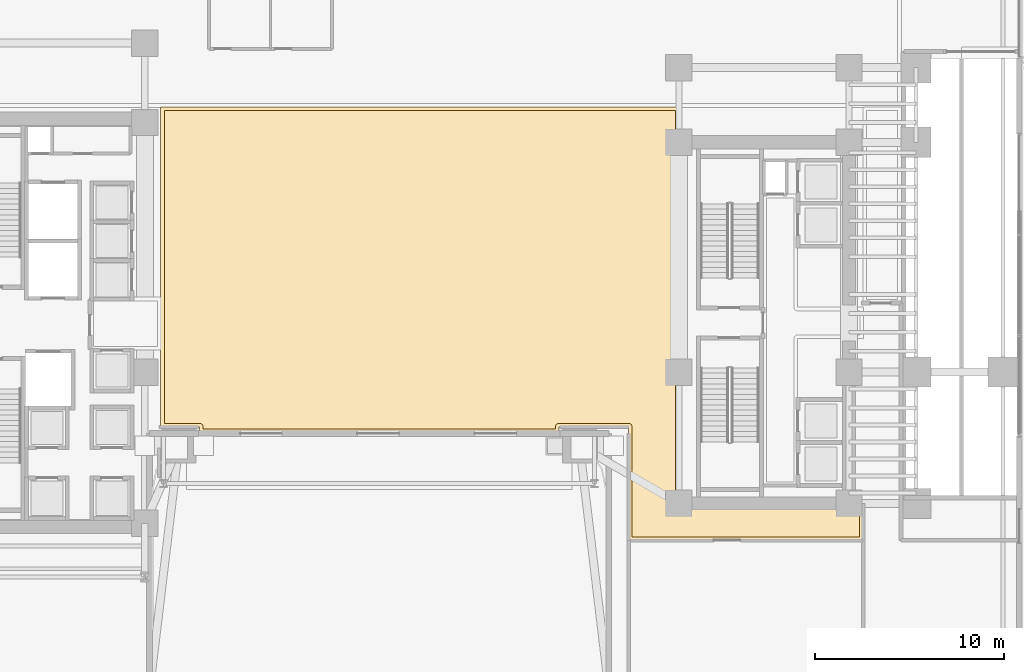
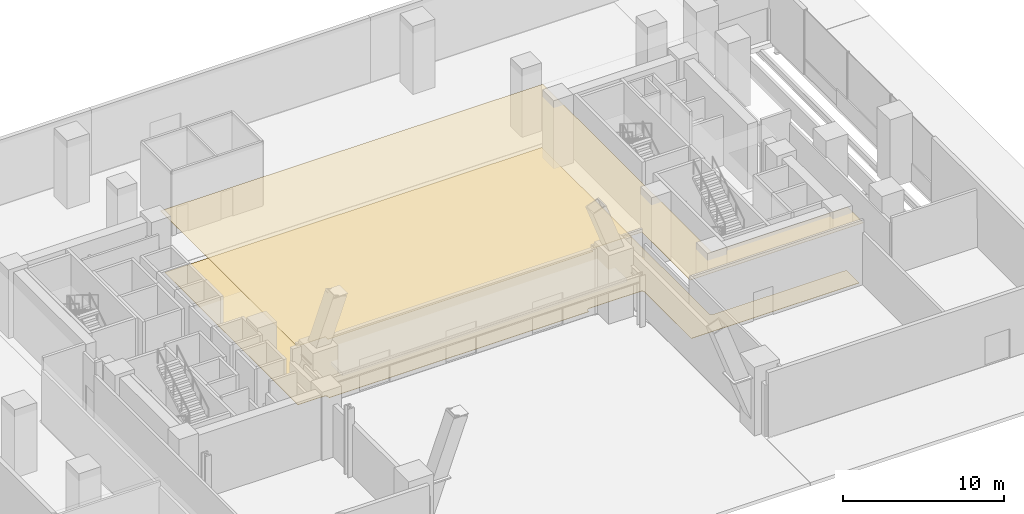
# One storey, part 22 of 27: 2 coverings.
"""IFC4 building model written with IfcOpenShell, lengths in metres."""

from ifc_helpers import new_model, si_unit, direction, frame, origin, place, context, subcontext, project, spatial, polyline, outline, extrude, material, layer, layer_set, type_object, element, save


model = new_model("IFC4")

# Units and contexts
model_context = context("Model", 3, precision=1e-05, world=origin(), true_north=direction((0.0, 1.0)))
body_context = subcontext(model_context, "Body", "Model", "MODEL_VIEW")
ifc_project = project(units=[si_unit("LENGTHUNIT", "METRE"), si_unit("AREAUNIT", "SQUARE_METRE"), si_unit("VOLUMEUNIT", "CUBIC_METRE"), si_unit("PLANEANGLEUNIT", "RADIAN"), si_unit("MASSUNIT", "GRAM", prefix="KILO")], contexts=[model_context])

# Site, building, storey
site_placement = place(None, origin())
site = spatial("IfcSite", under=ifc_project, at=site_placement, CompositionType="ELEMENT")
building_placement = place(site_placement, origin())
building = spatial("IfcBuilding", under=site, at=building_placement, Name="Valdorenza Pilgrim Sanctuary Tower", CompositionType="ELEMENT")
storey_placement = place(building_placement, origin())
storey = spatial("IfcBuildingStorey", under=building, at=storey_placement, Name="L00", CompositionType="ELEMENT", Elevation=0.0)

# Coverings
ifc_material_1 = material(Name="Micro-perforated acoustic mineral ceiling tile", Category="gypsum")
ifc_layer_1 = layer(ifc_material_1, 0.02490234375, Name="Micro-perforated acoustic mineral ceiling tile")
ifc_layer_set_1 = layer_set([ifc_layer_1], Name="Micro-perforated acoustic mineral ceiling tile")
covering_type_1 = type_object("IfcCoveringType", Name="COV-CLG-ACU", PredefinedType="CEILING", material=ifc_layer_set_1)
covering_1_placement = place(storey_placement, frame((0.0, 0.0, 4.6201171875)))
element("IfcCovering", 1, at=covering_1_placement, inside=storey, type_object=covering_type_1, Name="L00 Grand Pilgrim Entrance Central Concourse Acoustic Ceiling", PredefinedType="CEILING", context=body_context, shape_type="SweptSolid", body=[
    extrude(outline(polyline([(-11.56298828125, -1.41455078125), (-11.56298828125, 1.344482421875), (-11.56298828125, 1.3447265625), (-11.563720703125, 1.34619140625), (-11.564208984375, 1.347412109375), (-11.564697265625, 1.34912109375), (-11.56494140625, 1.3505859375), (-11.56494140625, 1.35205078125), (-11.56494140625, 7.447998046875), (-11.56494140625, 7.449462890625), (-11.564697265625, 7.45068359375), (-11.564453125, 7.4521484375), (-11.56396484375, 7.45361328125), (-11.563232421875, 7.454833984375), (-11.56298828125, 7.455322265625), (-11.56298828125, 8.944580078125), (-11.56298828125, 8.944580078125), (-11.563720703125, 8.946044921875), (-11.564208984375, 8.947509765625), (-11.564697265625, 8.948974609375), (-11.56494140625, 8.950439453125), (-11.56494140625, 8.951904296875), (-11.56494140625, 11.41796875), (-11.56494140625, 11.41943359375), (-11.564697265625, 11.4208984375), (-11.564453125, 11.42236328125), (-11.56396484375, 11.423583984375), (-11.563232421875, 11.425048828125), (-11.5625, 11.42626953125), (-11.5615234375, 11.427490234375), (-11.560546875, 11.4287109375), (-11.5595703125, 11.4296875), (-11.558349609375, 11.430419921875), (-11.55712890625, 11.43115234375), (-11.5556640625, 11.431884765625), (-11.554443359375, 11.432373046875), (-11.552978515625, 11.4326171875), (-11.551513671875, 11.432861328125), (-11.550048828125, 11.43310546875), (15.85009765625, 11.43310546875), (15.8515625, 11.432861328125), (15.852783203125, 11.4326171875), (15.8544921875, 11.432373046875), (15.855712890625, 11.431884765625), (15.857177734375, 11.43115234375), (15.8583984375, 11.430419921875), (15.859619140625, 11.4296875), (15.860595703125, 11.4287109375), (15.861572265625, 11.427490234375), (15.862548828125, 11.42626953125), (15.86328125, 11.425048828125), (15.864013671875, 11.423583984375), (15.864501953125, 11.42236328125), (15.86474609375, 11.4208984375), (15.864990234375, 11.41943359375), (15.864990234375, 11.41796875), (15.864990234375, 0.822021484375), (15.864990234375, 0.820556640625), (15.86474609375, 0.819091796875), (15.864501953125, 0.81787109375), (15.864013671875, 0.81640625), (15.86328125, 0.815185546875), (15.863037109375, 0.814697265625), (15.863037109375, -0.814697265625), (15.86328125, -0.815185546875), (15.864013671875, -0.81640625), (15.864501953125, -0.81787109375), (15.86474609375, -0.819091796875), (15.864990234375, -0.820556640625), (15.864990234375, -0.822021484375), (15.864990234375, -9.534912109375), (25.597900390625, -9.534912109375), (25.599609375, -9.53515625), (25.600830078125, -9.535400390625), (25.602294921875, -9.53564453125), (25.603759765625, -9.5361328125), (25.60498046875, -9.536865234375), (25.606201171875, -9.53759765625), (25.607421875, -9.538330078125), (25.608642578125, -9.539306640625), (25.609619140625, -9.54052734375), (25.610595703125, -9.541748046875), (25.611083984375, -9.54296875), (25.61181640625, -9.544189453125), (25.6123046875, -9.545654296875), (25.61279296875, -9.547119140625), (25.61279296875, -9.548583984375), (25.613037109375, -9.550048828125), (25.613037109375, -11.498046875), (25.61279296875, -11.49951171875), (25.61279296875, -11.5009765625), (25.6123046875, -11.50244140625), (25.61181640625, -11.503662109375), (25.611083984375, -11.505126953125), (25.610595703125, -11.50634765625), (25.609619140625, -11.507568359375), (25.608642578125, -11.508544921875), (25.607421875, -11.509521484375), (25.606201171875, -11.510498046875), (25.60498046875, -11.51123046875), (25.603759765625, -11.511962890625), (25.602294921875, -11.512451171875), (25.600830078125, -11.5126953125), (25.599609375, -11.512939453125), (25.597900390625, -11.512939453125), (13.199951171875, -11.512939453125), (13.198486328125, -11.512939453125), (13.197021484375, -11.5126953125), (13.195556640625, -11.512451171875), (13.1943359375, -11.511962890625), (13.19287109375, -11.51123046875), (13.191650390625, -11.510498046875), (13.1904296875, -11.509521484375), (13.189453125, -11.508544921875), (13.1884765625, -11.507568359375), (13.1875, -11.50634765625), (13.186767578125, -11.505126953125), (13.18603515625, -11.503662109375), (13.185546875, -11.50244140625), (13.185302734375, -11.5009765625), (13.18505859375, -11.49951171875), (13.18505859375, -11.498046875), (13.18505859375, -5.514892578125), (9.514892578125, -5.514892578125), (9.514892578125, -5.800048828125), (9.514892578125, -5.801513671875), (9.5146484375, -5.802978515625), (9.514404296875, -5.804443359375), (9.513916015625, -5.8056640625), (9.51318359375, -5.80712890625), (9.512451171875, -5.808349609375), (9.51171875, -5.8095703125), (9.510498046875, -5.810546875), (9.509521484375, -5.8115234375), (9.50830078125, -5.8125), (9.507080078125, -5.813232421875), (9.505615234375, -5.81396484375), (9.50439453125, -5.814453125), (9.5029296875, -5.814697265625), (9.50146484375, -5.81494140625), (9.5, -5.81494140625), (-9.5, -5.81494140625), (-9.50146484375, -5.81494140625), (-9.5029296875, -5.814697265625), (-9.50439453125, -5.814453125), (-9.505615234375, -5.81396484375), (-9.507080078125, -5.813232421875), (-9.50830078125, -5.8125), (-9.509521484375, -5.8115234375), (-9.510498046875, -5.810546875), (-9.51171875, -5.8095703125), (-9.512451171875, -5.808349609375), (-9.51318359375, -5.80712890625), (-9.513916015625, -5.8056640625), (-9.514404296875, -5.804443359375), (-9.5146484375, -5.802978515625), (-9.514892578125, -5.801513671875), (-9.514892578125, -5.800048828125), (-9.514892578125, -5.514892578125), (-11.550048828125, -5.514892578125), (-11.551513671875, -5.514892578125), (-11.552978515625, -5.5146484375), (-11.554443359375, -5.514404296875), (-11.5556640625, -5.513916015625), (-11.55712890625, -5.51318359375), (-11.558349609375, -5.512451171875), (-11.5595703125, -5.51171875), (-11.560546875, -5.510498046875), (-11.5615234375, -5.509521484375), (-11.5625, -5.50830078125), (-11.563232421875, -5.507080078125), (-11.56396484375, -5.505615234375), (-11.564453125, -5.50439453125), (-11.564697265625, -5.5029296875), (-11.56494140625, -5.50146484375), (-11.56494140625, -5.5), (-11.56494140625, -1.422119140625), (-11.56494140625, -1.42041015625), (-11.564697265625, -1.4189453125), (-11.564208984375, -1.41748046875), (-11.563720703125, -1.416015625), (-11.56298828125, -1.414794921875), (-11.56298828125, -1.41455078125)])), origin(), (0.0, 0.0, 1.0), 0.02490234375),
])
ifc_material_2 = material(Name="Honed travertine stone flooring", Category="masonry")
ifc_layer_2 = layer(ifc_material_2, 0.030029296875, Name="Honed travertine stone flooring")
ifc_layer_set_2 = layer_set([ifc_layer_2], Name="Honed travertine stone flooring")
covering_type_2 = type_object("IfcCoveringType", Name="COV-FLR-TRV", PredefinedType="FLOORING", material=ifc_layer_set_2)
covering_2_placement = place(storey_placement, origin())
element("IfcCovering", 2, at=covering_2_placement, inside=storey, type_object=covering_type_2, Name="L00 Grand Pilgrim Entrance Central Concourse Flooring", PredefinedType="FLOORING", context=body_context, shape_type="SweptSolid", body=[
    extrude(outline(polyline([(-11.3701171875, -1.447021484375), (-11.3701171875, -1.44677734375), (-11.3701171875, -1.446533203125), (-11.3681640625, -1.428955078125), (-11.3681640625, -1.4287109375), (-11.367919921875, -1.419921875), (-11.367919921875, 1.35009765625), (-11.3701171875, 7.423095703125), (-11.3701171875, 7.423095703125), (-11.3701171875, 7.42333984375), (-11.3681640625, 7.44091796875), (-11.3681640625, 7.441162109375), (-11.367919921875, 7.449951171875), (-11.367919921875, 8.949951171875), (-11.369873046875, 11.238037109375), (15.669921875, 11.238037109375), (15.669921875, 0.846923828125), (15.669921875, 0.8466796875), (15.669921875, 0.8466796875), (15.668212890625, 0.8291015625), (15.668212890625, 0.828857421875), (15.66796875, 0.820068359375), (15.66796875, -0.820068359375), (15.669921875, -9.550048828125), (15.6708984375, -9.567626953125), (15.673583984375, -9.585205078125), (15.677734375, -9.602294921875), (15.68359375, -9.618896484375), (15.69140625, -9.635009765625), (15.7001953125, -9.64990234375), (15.7109375, -9.664306640625), (15.72265625, -9.67724609375), (15.73583984375, -9.689208984375), (15.75, -9.69970703125), (15.76513671875, -9.708740234375), (15.781005859375, -9.71630859375), (15.7978515625, -9.722412109375), (15.81494140625, -9.7265625), (15.83251953125, -9.72900390625), (15.85009765625, -9.72998046875), (25.41796875, -9.72998046875), (25.41796875, -11.318115234375), (13.3798828125, -11.318115234375), (13.3798828125, -5.5), (13.379150390625, -5.482421875), (13.37646484375, -5.46484375), (13.372314453125, -5.44775390625), (13.3662109375, -5.43115234375), (13.358642578125, -5.4150390625), (13.349609375, -5.39990234375), (13.339111328125, -5.3857421875), (13.327392578125, -5.372802734375), (13.314208984375, -5.36083984375), (13.300048828125, -5.350341796875), (13.284912109375, -5.34130859375), (13.268798828125, -5.333740234375), (13.252197265625, -5.327880859375), (13.235107421875, -5.323486328125), (13.217529296875, -5.32080078125), (13.199951171875, -5.320068359375), (9.5, -5.320068359375), (9.482421875, -5.32080078125), (9.46484375, -5.323486328125), (9.44775390625, -5.327880859375), (9.43115234375, -5.333740234375), (9.4150390625, -5.34130859375), (9.39990234375, -5.350341796875), (9.3857421875, -5.36083984375), (9.372802734375, -5.372802734375), (9.36083984375, -5.3857421875), (9.350341796875, -5.39990234375), (9.34130859375, -5.4150390625), (9.333740234375, -5.43115234375), (9.327880859375, -5.44775390625), (9.323486328125, -5.46484375), (9.32080078125, -5.482421875), (9.320068359375, -5.5), (9.320068359375, -5.6201171875), (-9.320068359375, -5.6201171875), (-9.320068359375, -5.5), (-9.32080078125, -5.482421875), (-9.323486328125, -5.46484375), (-9.327880859375, -5.44775390625), (-9.333740234375, -5.43115234375), (-9.34130859375, -5.4150390625), (-9.350341796875, -5.39990234375), (-9.36083984375, -5.3857421875), (-9.372802734375, -5.372802734375), (-9.3857421875, -5.36083984375), (-9.39990234375, -5.350341796875), (-9.4150390625, -5.34130859375), (-9.43115234375, -5.333740234375), (-9.44775390625, -5.327880859375), (-9.46484375, -5.323486328125), (-9.482421875, -5.32080078125), (-9.5, -5.320068359375), (-11.3701171875, -5.320068359375), (-11.3701171875, -1.447021484375)])), origin(), (0.0, 0.0, 1.0), 0.02490234375),
])

save(model, "model.ifc")
